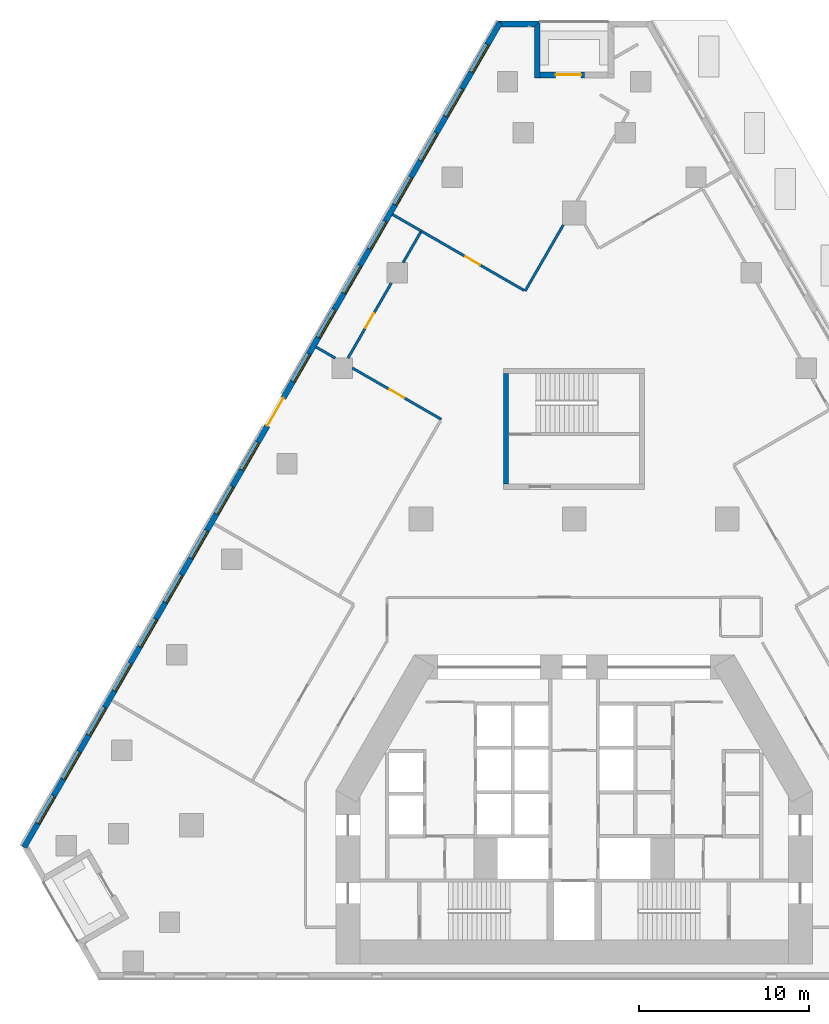
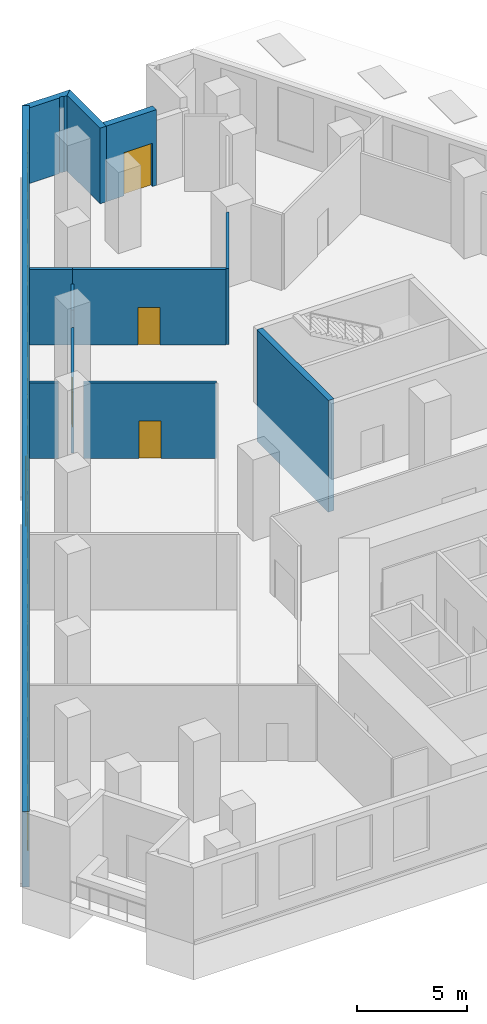
# One storey, part 8 of 13: 17 windows, 12 walls, 5 doors, 22 openings.
"""IFC4 building model written with IfcOpenShell, lengths in metres."""

from ifc_helpers import new_model, si_unit, direction, frame, frame_2d, origin, place, context, subcontext, project, spatial, polyline, rectangle, outline, extrude, material, layer, layer_set, type_object, element, fill, save


model = new_model("IFC4")

# Units and contexts
model_context = context("Model", 3, precision=1e-05, world=origin(), true_north=direction((0.0, 1.0)))
body_context = subcontext(model_context, "Body", "Model", "MODEL_VIEW")
ifc_project = project(units=[si_unit("LENGTHUNIT", "METRE"), si_unit("AREAUNIT", "SQUARE_METRE"), si_unit("VOLUMEUNIT", "CUBIC_METRE"), si_unit("PLANEANGLEUNIT", "RADIAN"), si_unit("MASSUNIT", "GRAM", prefix="KILO")], contexts=[model_context])

# Site, building, storey
site_placement = place(None, origin())
site = spatial("IfcSite", under=ifc_project, at=site_placement, CompositionType="ELEMENT")
building_placement = place(site_placement, origin())
building = spatial("IfcBuilding", under=site, at=building_placement, Name="Fogline Exchange Tower", CompositionType="ELEMENT")
storey_placement = place(building_placement, frame((0.0, 0.0, 25.0)))
storey = spatial("IfcBuildingStorey", under=building, at=storey_placement, Name="L04", CompositionType="ELEMENT", Elevation=25.0)

# Wall
ifc_material_1 = material(Name="Concrete C40", Category="concrete")
ifc_layer_1 = layer(ifc_material_1, 0.300048828125)
ifc_layer_set_1 = layer_set([ifc_layer_1], Name="CW30")
wall_type_1 = type_object("IfcWallType", Name="CW30", PredefinedType="SOLIDWALL", material=ifc_layer_set_1)
wall_1_placement = place(storey_placement, frame((-4.0, 29.056884765625, -2.0), z_axis=(0.0, 0.0, 1.0), x_axis=(0.0, 1.0, 0.0)))
element("IfcWall", 1, at=wall_1_placement, inside=storey, type_object=wall_type_1, Name="Stair enclosure wall ST3", PredefinedType="SOLIDWALL", context=body_context, shape_type="SweptSolid", body=[
    extrude(rectangle(XDim=6.5, YDim=0.300048828125, at=frame_2d((3.25, 0.0))), origin(), (0.0, 0.0, 1.0), 6.199951171875),
])

# Wall, opening, door
ifc_material_2 = material(Name="Brick masonry", Category="masonry")
ifc_layer_2 = layer(ifc_material_2, 0.340087890625)
ifc_layer_set_2 = layer_set([ifc_layer_2], Name="FW1")
wall_type_2 = type_object("IfcWallType", Name="FW1", PredefinedType="SOLIDWALL", material=ifc_layer_set_2)
wall_2_placement = place(storey_placement, frame((0.61328125, 53.12158203125, 0.0), z_axis=(0.0, 0.0, 1.0), x_axis=(-1.0, 0.0, 0.0)))
wall_2 = element("IfcWall", 2, at=wall_2_placement, inside=storey, type_object=wall_type_2, Name="Brick wall L04 N-bk", PredefinedType="SOLIDWALL", context=body_context, shape_type="SweptSolid", body=[
    extrude(rectangle(XDim=2.61328125, YDim=0.340087890625, at=frame_2d((1.306640625, 0.0))), origin(), (0.0, 0.0, 1.0), 4.199951171875),
])
opening_1_placement = place(wall_2_placement, frame((0.199951171875, 0.0, 0.0)))
opening_1 = element("IfcOpeningElement", 3, at=opening_1_placement, cuts=wall_2, Name="Opening T00-E141", PredefinedType="OPENING", context=body_context, shape_type="SweptSolid", body=[
    extrude(rectangle(XDim=1.5, YDim=2.39990234375, at=frame_2d((0.75, 1.199951171875))), frame((0.0, 0.18017578125, 0.0), z_axis=(0.0, -1.0, 0.0), x_axis=(1.0, 0.0, 0.0)), (0.0, 0.0, 1.0), 0.360107421875),
])
ifc_material_3 = material(Name="Aluminium and glass", Category="aluminium")
door_type_1 = type_object("IfcDoorType", Name="ED4", OperationType="SINGLE_SWING_LEFT", PredefinedType="DOOR", material=ifc_material_3)
door_1_placement = place(opening_1_placement, frame((1.5, 0.0, 0.0), z_axis=(0.0, 0.0, 1.0), x_axis=(-1.0, 0.0, 0.0)))
door_1 = element("IfcDoor", 4, at=door_1_placement, inside=storey, type_object=door_type_1, Name="Balcony door L04 N", OperationType="DOUBLE_DOOR_SINGLE_SWING", OverallHeight=2.39990234375, OverallWidth=1.5, PredefinedType="DOOR", context=body_context, shape_type="SweptSolid", body=[
    extrude(rectangle(XDim=1.5, YDim=2.39990234375, at=frame_2d((0.75, 1.199951171875))), frame((0.0, 0.02490234375, 0.0), z_axis=(0.0, -1.0, 0.0), x_axis=(1.0, 0.0, 0.0)), (0.0, 0.0, 1.0), 0.050048828125),
])
fill(opening_1, door_1)

# Walls
wall_3_placement = place(storey_placement, origin())
element("IfcWall", 5, at=wall_3_placement, inside=storey, type_object=wall_type_2, Name="Brick wall L04 N-s2", PredefinedType="SOLIDWALL", context=body_context, shape_type="SweptSolid", body=[
    extrude(outline(polyline([(-1.99951171875, 56.292724609375), (-1.99951171875, 52.951171875), (-2.340576171875, 52.951171875), (-2.340576171875, 55.951904296875), (-1.999755859375, 56.292724609375), (-1.99951171875, 56.292724609375)])), origin(), (0.0, 0.0, 1.0), 4.199951171875),
])
wall_4_placement = place(storey_placement, origin())
element("IfcWall", 6, at=wall_4_placement, inside=storey, type_object=wall_type_2, Name="Brick wall L04 N-c2", PredefinedType="SOLIDWALL", context=body_context, shape_type="SweptSolid", body=[
    extrude(outline(polyline([(-4.206298828125, 56.121337890625), (-4.501220703125, 56.291748046875), (-4.5009765625, 56.292236328125), (-1.9990234375, 56.292236328125), (-1.998779296875, 56.2919921875), (-2.33984375, 55.951171875), (-2.510009765625, 55.951171875), (-2.695068359375, 56.031494140625), (-2.72998046875, 55.951171875), (-4.3046875, 55.951171875), (-4.206298828125, 56.121337890625)])), origin(), (0.0, 0.0, 1.0), 4.199951171875),
])

# Wall, openings, door, windows
wall_5_placement = place(storey_placement, frame((-4.352783203125, 56.20654296875, 0.0), z_axis=(0.0, 0.0, 1.0), x_axis=(-0.500000836325, -0.866024920931, 0.0)))
wall_5 = element("IfcWall", 7, at=wall_5_placement, inside=storey, type_object=wall_type_2, Name="Brick wall L04 W", PredefinedType="SOLIDWALL", context=body_context, shape_type="SweptSolid", body=[
    extrude(rectangle(XDim=56.0, YDim=0.340087890625, at=frame_2d((28.0, 0.0))), origin(), (0.0, 0.0, 1.0), 4.199951171875),
])
opening_2_placement = place(wall_5_placement, frame((1.5, 0.0, 0.89990234375)))
opening_2 = element("IfcOpeningElement", 8, at=opening_2_placement, cuts=wall_5, Name="Opening W2", PredefinedType="OPENING", context=body_context, shape_type="SweptSolid", body=[
    extrude(rectangle(XDim=1.885009765625, YDim=3.0, at=frame_2d((0.9423828125, 1.5))), frame((0.0, 0.18017578125, 0.0), z_axis=(0.0, -1.0, 0.0), x_axis=(1.0, 0.0, 0.0)), (0.0, 0.0, 1.0), 0.360107421875),
])
opening_3_placement = place(wall_5_placement, frame((4.5, 0.0, 0.89990234375)))
opening_3 = element("IfcOpeningElement", 9, at=opening_3_placement, cuts=wall_5, Name="Opening W2", PredefinedType="OPENING", context=body_context, shape_type="SweptSolid", body=[
    extrude(rectangle(XDim=1.885009765625, YDim=3.0, at=frame_2d((0.9423828125, 1.5))), frame((0.0, 0.18017578125, 0.0), z_axis=(0.0, -1.0, 0.0), x_axis=(1.0, 0.0, 0.0)), (0.0, 0.0, 1.0), 0.360107421875),
])
opening_4_placement = place(wall_5_placement, frame((7.5, 0.0, 0.89990234375)))
opening_4 = element("IfcOpeningElement", 10, at=opening_4_placement, cuts=wall_5, Name="Opening W2", PredefinedType="OPENING", context=body_context, shape_type="SweptSolid", body=[
    extrude(rectangle(XDim=1.885009765625, YDim=3.0, at=frame_2d((0.9423828125, 1.5))), frame((0.0, 0.18017578125, 0.0), z_axis=(0.0, -1.0, 0.0), x_axis=(1.0, 0.0, 0.0)), (0.0, 0.0, 1.0), 0.360107421875),
])
opening_5_placement = place(wall_5_placement, frame((10.5, 0.0, 0.89990234375)))
opening_5 = element("IfcOpeningElement", 11, at=opening_5_placement, cuts=wall_5, Name="Opening W2", PredefinedType="OPENING", context=body_context, shape_type="SweptSolid", body=[
    extrude(rectangle(XDim=1.885009765625, YDim=3.0, at=frame_2d((0.9423828125, 1.5))), frame((0.0, 0.18017578125, 0.0), z_axis=(0.0, -1.0, 0.0), x_axis=(1.0, 0.0, 0.0)), (0.0, 0.0, 1.0), 0.360107421875),
])
opening_6_placement = place(wall_5_placement, frame((13.5, 0.0, 0.89990234375)))
opening_6 = element("IfcOpeningElement", 12, at=opening_6_placement, cuts=wall_5, Name="Opening W2", PredefinedType="OPENING", context=body_context, shape_type="SweptSolid", body=[
    extrude(rectangle(XDim=1.885009765625, YDim=3.0, at=frame_2d((0.9423828125, 1.5))), frame((0.0, 0.18017578125, 0.0), z_axis=(0.0, -1.0, 0.0), x_axis=(1.0, 0.0, 0.0)), (0.0, 0.0, 1.0), 0.360107421875),
])
opening_7_placement = place(wall_5_placement, frame((16.5, 0.0, 0.89990234375)))
opening_7 = element("IfcOpeningElement", 13, at=opening_7_placement, cuts=wall_5, Name="Opening W2", PredefinedType="OPENING", context=body_context, shape_type="SweptSolid", body=[
    extrude(rectangle(XDim=1.885009765625, YDim=3.0, at=frame_2d((0.9423828125, 1.5))), frame((0.0, 0.18017578125, 0.0), z_axis=(0.0, -1.0, 0.0), x_axis=(1.0, 0.0, 0.0)), (0.0, 0.0, 1.0), 0.360107421875),
])
opening_8_placement = place(wall_5_placement, frame((19.5, 0.0, 0.89990234375)))
opening_8 = element("IfcOpeningElement", 14, at=opening_8_placement, cuts=wall_5, Name="Opening W2", PredefinedType="OPENING", context=body_context, shape_type="SweptSolid", body=[
    extrude(rectangle(XDim=1.885009765625, YDim=3.0, at=frame_2d((0.9423828125, 1.5))), frame((0.0, 0.18017578125, 0.0), z_axis=(0.0, -1.0, 0.0), x_axis=(1.0, 0.0, 0.0)), (0.0, 0.0, 1.0), 0.360107421875),
])
opening_9_placement = place(wall_5_placement, frame((22.5, 0.0, 0.89990234375)))
opening_9 = element("IfcOpeningElement", 15, at=opening_9_placement, cuts=wall_5, Name="Opening W2", PredefinedType="OPENING", context=body_context, shape_type="SweptSolid", body=[
    extrude(rectangle(XDim=1.885009765625, YDim=3.0, at=frame_2d((0.9423828125, 1.5))), frame((0.0, 0.18017578125, 0.0), z_axis=(0.0, -1.0, 0.0), x_axis=(1.0, 0.0, 0.0)), (0.0, 0.0, 1.0), 0.360107421875),
])
opening_10_placement = place(wall_5_placement, frame((25.5, 0.0, 0.0)))
opening_10 = element("IfcOpeningElement", 16, at=opening_10_placement, cuts=wall_5, Name="Opening T00-E171", PredefinedType="OPENING", context=body_context, shape_type="SweptSolid", body=[
    extrude(rectangle(XDim=1.885009765625, YDim=2.60009765625, at=frame_2d((0.9423828125, 1.300048828125))), frame((0.0, 0.18017578125, 0.0), z_axis=(0.0, -1.0, 0.0), x_axis=(1.0, 0.0, 0.0)), (0.0, 0.0, 1.0), 0.360107421875),
])
opening_11_placement = place(wall_5_placement, frame((28.5, 0.0, 0.89990234375)))
opening_11 = element("IfcOpeningElement", 17, at=opening_11_placement, cuts=wall_5, Name="Opening W2", PredefinedType="OPENING", context=body_context, shape_type="SweptSolid", body=[
    extrude(rectangle(XDim=1.885009765625, YDim=3.0, at=frame_2d((0.9423828125, 1.5))), frame((0.0, 0.18017578125, 0.0), z_axis=(0.0, -1.0, 0.0), x_axis=(1.0, 0.0, 0.0)), (0.0, 0.0, 1.0), 0.360107421875),
])
opening_12_placement = place(wall_5_placement, frame((31.5, 0.0, 0.89990234375)))
opening_12 = element("IfcOpeningElement", 18, at=opening_12_placement, cuts=wall_5, Name="Opening W2", PredefinedType="OPENING", context=body_context, shape_type="SweptSolid", body=[
    extrude(rectangle(XDim=1.885009765625, YDim=3.0, at=frame_2d((0.9423828125, 1.5))), frame((0.0, 0.18017578125, 0.0), z_axis=(0.0, -1.0, 0.0), x_axis=(1.0, 0.0, 0.0)), (0.0, 0.0, 1.0), 0.360107421875),
])
opening_13_placement = place(wall_5_placement, frame((34.5, 0.0, 0.89990234375)))
opening_13 = element("IfcOpeningElement", 19, at=opening_13_placement, cuts=wall_5, Name="Opening W2", PredefinedType="OPENING", context=body_context, shape_type="SweptSolid", body=[
    extrude(rectangle(XDim=1.885009765625, YDim=3.0, at=frame_2d((0.9423828125, 1.5))), frame((0.0, 0.18017578125, 0.0), z_axis=(0.0, -1.0, 0.0), x_axis=(1.0, 0.0, 0.0)), (0.0, 0.0, 1.0), 0.360107421875),
])
opening_14_placement = place(wall_5_placement, frame((37.5, 0.0, 0.89990234375)))
opening_14 = element("IfcOpeningElement", 20, at=opening_14_placement, cuts=wall_5, Name="Opening W2", PredefinedType="OPENING", context=body_context, shape_type="SweptSolid", body=[
    extrude(rectangle(XDim=1.885009765625, YDim=3.0, at=frame_2d((0.9423828125, 1.5))), frame((0.0, 0.18017578125, 0.0), z_axis=(0.0, -1.0, 0.0), x_axis=(1.0, 0.0, 0.0)), (0.0, 0.0, 1.0), 0.360107421875),
])
opening_15_placement = place(wall_5_placement, frame((40.5, 0.0, 0.89990234375)))
opening_15 = element("IfcOpeningElement", 21, at=opening_15_placement, cuts=wall_5, Name="Opening W2", PredefinedType="OPENING", context=body_context, shape_type="SweptSolid", body=[
    extrude(rectangle(XDim=1.885009765625, YDim=3.0, at=frame_2d((0.9423828125, 1.5))), frame((0.0, 0.18017578125, 0.0), z_axis=(0.0, -1.0, 0.0), x_axis=(1.0, 0.0, 0.0)), (0.0, 0.0, 1.0), 0.360107421875),
])
opening_16_placement = place(wall_5_placement, frame((43.5, 0.0, 0.89990234375)))
opening_16 = element("IfcOpeningElement", 22, at=opening_16_placement, cuts=wall_5, Name="Opening W2", PredefinedType="OPENING", context=body_context, shape_type="SweptSolid", body=[
    extrude(rectangle(XDim=1.885009765625, YDim=3.0, at=frame_2d((0.9423828125, 1.5))), frame((0.0, 0.18017578125, 0.0), z_axis=(0.0, -1.0, 0.0), x_axis=(1.0, 0.0, 0.0)), (0.0, 0.0, 1.0), 0.360107421875),
])
opening_17_placement = place(wall_5_placement, frame((46.5, 0.0, 0.89990234375)))
opening_17 = element("IfcOpeningElement", 23, at=opening_17_placement, cuts=wall_5, Name="Opening W2", PredefinedType="OPENING", context=body_context, shape_type="SweptSolid", body=[
    extrude(rectangle(XDim=1.885009765625, YDim=3.0, at=frame_2d((0.9423828125, 1.5))), frame((0.0, 0.18017578125, 0.0), z_axis=(0.0, -1.0, 0.0), x_axis=(1.0, 0.0, 0.0)), (0.0, 0.0, 1.0), 0.360107421875),
])
opening_18_placement = place(wall_5_placement, frame((49.5, 0.0, 0.89990234375)))
opening_18 = element("IfcOpeningElement", 24, at=opening_18_placement, cuts=wall_5, Name="Opening W2", PredefinedType="OPENING", context=body_context, shape_type="SweptSolid", body=[
    extrude(rectangle(XDim=1.885009765625, YDim=3.0, at=frame_2d((0.9423828125, 1.5))), frame((0.0, 0.18017578125, 0.0), z_axis=(0.0, -1.0, 0.0), x_axis=(1.0, 0.0, 0.0)), (0.0, 0.0, 1.0), 0.360107421875),
])
opening_19_placement = place(wall_5_placement, frame((52.5, 0.0, 0.89990234375)))
opening_19 = element("IfcOpeningElement", 25, at=opening_19_placement, cuts=wall_5, Name="Opening W2", PredefinedType="OPENING", context=body_context, shape_type="SweptSolid", body=[
    extrude(rectangle(XDim=1.885009765625, YDim=3.0, at=frame_2d((0.9423828125, 1.5))), frame((0.0, 0.18017578125, 0.0), z_axis=(0.0, -1.0, 0.0), x_axis=(1.0, 0.0, 0.0)), (0.0, 0.0, 1.0), 0.360107421875),
])
door_type_2 = type_object("IfcDoorType", Name="ED5", OperationType="SINGLE_SWING_LEFT", PredefinedType="DOOR", material=ifc_material_3)
door_2_placement = place(opening_10_placement, frame((1.885009765625, 0.0, 0.0), z_axis=(0.0, 0.0, 1.0), x_axis=(-1.0, 0.0, 0.0)))
door_2 = element("IfcDoor", 26, at=door_2_placement, inside=storey, type_object=door_type_2, Name="Terrace door L04 W", OperationType="DOUBLE_DOOR_SINGLE_SWING", OverallHeight=2.60009765625, OverallWidth=1.885009765625, PredefinedType="DOOR", context=body_context, shape_type="SweptSolid", body=[
    extrude(rectangle(XDim=1.885009765625, YDim=2.60009765625, at=frame_2d((0.9423828125, 1.300048828125))), frame((0.0, 0.02490234375, 0.0), z_axis=(0.0, -1.0, 0.0), x_axis=(1.0, 0.0, 0.0)), (0.0, 0.0, 1.0), 0.050048828125),
])
fill(opening_10, door_2)
window_type = type_object("IfcWindowType", Name="W2", PartitioningType="SINGLE_PANEL", PredefinedType="WINDOW", material=ifc_material_3)
window_1_placement = place(opening_2_placement, origin())
window_1 = element("IfcWindow", 27, at=window_1_placement, inside=storey, type_object=window_type, Name="W2 W2", OverallHeight=3.0, OverallWidth=1.885009765625, PartitioningType="SINGLE_PANEL", PredefinedType="WINDOW", context=body_context, shape_type="SweptSolid", body=[
    extrude(rectangle(XDim=1.885009765625, YDim=3.0, at=frame_2d((0.9423828125, 1.5))), frame((0.0, 0.110107421875, 0.0), z_axis=(0.0, -1.0, 0.0), x_axis=(1.0, 0.0, 0.0)), (0.0, 0.0, 1.0), 0.06005859375),
])
fill(opening_2, window_1)
window_2_placement = place(opening_3_placement, origin())
window_2 = element("IfcWindow", 28, at=window_2_placement, inside=storey, type_object=window_type, Name="W2 W2", OverallHeight=3.0, OverallWidth=1.885009765625, PartitioningType="SINGLE_PANEL", PredefinedType="WINDOW", context=body_context, shape_type="SweptSolid", body=[
    extrude(rectangle(XDim=1.885009765625, YDim=3.0, at=frame_2d((0.9423828125, 1.5))), frame((0.0, 0.110107421875, 0.0), z_axis=(0.0, -1.0, 0.0), x_axis=(1.0, 0.0, 0.0)), (0.0, 0.0, 1.0), 0.06005859375),
])
fill(opening_3, window_2)
window_3_placement = place(opening_4_placement, origin())
window_3 = element("IfcWindow", 29, at=window_3_placement, inside=storey, type_object=window_type, Name="W2 W2", OverallHeight=3.0, OverallWidth=1.885009765625, PartitioningType="SINGLE_PANEL", PredefinedType="WINDOW", context=body_context, shape_type="SweptSolid", body=[
    extrude(rectangle(XDim=1.885009765625, YDim=3.0, at=frame_2d((0.9423828125, 1.5))), frame((0.0, 0.110107421875, 0.0), z_axis=(0.0, -1.0, 0.0), x_axis=(1.0, 0.0, 0.0)), (0.0, 0.0, 1.0), 0.06005859375),
])
fill(opening_4, window_3)
window_4_placement = place(opening_5_placement, origin())
window_4 = element("IfcWindow", 30, at=window_4_placement, inside=storey, type_object=window_type, Name="W2 W2", OverallHeight=3.0, OverallWidth=1.885009765625, PartitioningType="SINGLE_PANEL", PredefinedType="WINDOW", context=body_context, shape_type="SweptSolid", body=[
    extrude(rectangle(XDim=1.885009765625, YDim=3.0, at=frame_2d((0.9423828125, 1.5))), frame((0.0, 0.110107421875, 0.0), z_axis=(0.0, -1.0, 0.0), x_axis=(1.0, 0.0, 0.0)), (0.0, 0.0, 1.0), 0.06005859375),
])
fill(opening_5, window_4)
window_5_placement = place(opening_6_placement, origin())
window_5 = element("IfcWindow", 31, at=window_5_placement, inside=storey, type_object=window_type, Name="W2 W2", OverallHeight=3.0, OverallWidth=1.885009765625, PartitioningType="SINGLE_PANEL", PredefinedType="WINDOW", context=body_context, shape_type="SweptSolid", body=[
    extrude(rectangle(XDim=1.885009765625, YDim=3.0, at=frame_2d((0.9423828125, 1.5))), frame((0.0, 0.110107421875, 0.0), z_axis=(0.0, -1.0, 0.0), x_axis=(1.0, 0.0, 0.0)), (0.0, 0.0, 1.0), 0.06005859375),
])
fill(opening_6, window_5)
window_6_placement = place(opening_7_placement, origin())
window_6 = element("IfcWindow", 32, at=window_6_placement, inside=storey, type_object=window_type, Name="W2 W2", OverallHeight=3.0, OverallWidth=1.885009765625, PartitioningType="SINGLE_PANEL", PredefinedType="WINDOW", context=body_context, shape_type="SweptSolid", body=[
    extrude(rectangle(XDim=1.885009765625, YDim=3.0, at=frame_2d((0.9423828125, 1.5))), frame((0.0, 0.110107421875, 0.0), z_axis=(0.0, -1.0, 0.0), x_axis=(1.0, 0.0, 0.0)), (0.0, 0.0, 1.0), 0.06005859375),
])
fill(opening_7, window_6)
window_7_placement = place(opening_8_placement, origin())
window_7 = element("IfcWindow", 33, at=window_7_placement, inside=storey, type_object=window_type, Name="W2 W2", OverallHeight=3.0, OverallWidth=1.885009765625, PartitioningType="SINGLE_PANEL", PredefinedType="WINDOW", context=body_context, shape_type="SweptSolid", body=[
    extrude(rectangle(XDim=1.885009765625, YDim=3.0, at=frame_2d((0.9423828125, 1.5))), frame((0.0, 0.110107421875, 0.0), z_axis=(0.0, -1.0, 0.0), x_axis=(1.0, 0.0, 0.0)), (0.0, 0.0, 1.0), 0.06005859375),
])
fill(opening_8, window_7)
window_8_placement = place(opening_9_placement, origin())
window_8 = element("IfcWindow", 34, at=window_8_placement, inside=storey, type_object=window_type, Name="W2 W2", OverallHeight=3.0, OverallWidth=1.885009765625, PartitioningType="SINGLE_PANEL", PredefinedType="WINDOW", context=body_context, shape_type="SweptSolid", body=[
    extrude(rectangle(XDim=1.885009765625, YDim=3.0, at=frame_2d((0.9423828125, 1.5))), frame((0.0, 0.110107421875, 0.0), z_axis=(0.0, -1.0, 0.0), x_axis=(1.0, 0.0, 0.0)), (0.0, 0.0, 1.0), 0.06005859375),
])
fill(opening_9, window_8)
window_9_placement = place(opening_11_placement, origin())
window_9 = element("IfcWindow", 35, at=window_9_placement, inside=storey, type_object=window_type, Name="W2 W2", OverallHeight=3.0, OverallWidth=1.885009765625, PartitioningType="SINGLE_PANEL", PredefinedType="WINDOW", context=body_context, shape_type="SweptSolid", body=[
    extrude(rectangle(XDim=1.885009765625, YDim=3.0, at=frame_2d((0.9423828125, 1.5))), frame((0.0, 0.110107421875, 0.0), z_axis=(0.0, -1.0, 0.0), x_axis=(1.0, 0.0, 0.0)), (0.0, 0.0, 1.0), 0.06005859375),
])
fill(opening_11, window_9)
window_10_placement = place(opening_12_placement, origin())
window_10 = element("IfcWindow", 36, at=window_10_placement, inside=storey, type_object=window_type, Name="W2 W2", OverallHeight=3.0, OverallWidth=1.885009765625, PartitioningType="SINGLE_PANEL", PredefinedType="WINDOW", context=body_context, shape_type="SweptSolid", body=[
    extrude(rectangle(XDim=1.885009765625, YDim=3.0, at=frame_2d((0.9423828125, 1.5))), frame((0.0, 0.110107421875, 0.0), z_axis=(0.0, -1.0, 0.0), x_axis=(1.0, 0.0, 0.0)), (0.0, 0.0, 1.0), 0.06005859375),
])
fill(opening_12, window_10)
window_11_placement = place(opening_13_placement, origin())
window_11 = element("IfcWindow", 37, at=window_11_placement, inside=storey, type_object=window_type, Name="W2 W2", OverallHeight=3.0, OverallWidth=1.885009765625, PartitioningType="SINGLE_PANEL", PredefinedType="WINDOW", context=body_context, shape_type="SweptSolid", body=[
    extrude(rectangle(XDim=1.885009765625, YDim=3.0, at=frame_2d((0.9423828125, 1.5))), frame((0.0, 0.110107421875, 0.0), z_axis=(0.0, -1.0, 0.0), x_axis=(1.0, 0.0, 0.0)), (0.0, 0.0, 1.0), 0.06005859375),
])
fill(opening_13, window_11)
window_12_placement = place(opening_14_placement, origin())
window_12 = element("IfcWindow", 38, at=window_12_placement, inside=storey, type_object=window_type, Name="W2 W2", OverallHeight=3.0, OverallWidth=1.885009765625, PartitioningType="SINGLE_PANEL", PredefinedType="WINDOW", context=body_context, shape_type="SweptSolid", body=[
    extrude(rectangle(XDim=1.885009765625, YDim=3.0, at=frame_2d((0.9423828125, 1.5))), frame((0.0, 0.110107421875, 0.0), z_axis=(0.0, -1.0, 0.0), x_axis=(1.0, 0.0, 0.0)), (0.0, 0.0, 1.0), 0.06005859375),
])
fill(opening_14, window_12)
window_13_placement = place(opening_15_placement, origin())
window_13 = element("IfcWindow", 39, at=window_13_placement, inside=storey, type_object=window_type, Name="W2 W2", OverallHeight=3.0, OverallWidth=1.885009765625, PartitioningType="SINGLE_PANEL", PredefinedType="WINDOW", context=body_context, shape_type="SweptSolid", body=[
    extrude(rectangle(XDim=1.885009765625, YDim=3.0, at=frame_2d((0.9423828125, 1.5))), frame((0.0, 0.110107421875, 0.0), z_axis=(0.0, -1.0, 0.0), x_axis=(1.0, 0.0, 0.0)), (0.0, 0.0, 1.0), 0.06005859375),
])
fill(opening_15, window_13)
window_14_placement = place(opening_16_placement, origin())
window_14 = element("IfcWindow", 40, at=window_14_placement, inside=storey, type_object=window_type, Name="W2 W2", OverallHeight=3.0, OverallWidth=1.885009765625, PartitioningType="SINGLE_PANEL", PredefinedType="WINDOW", context=body_context, shape_type="SweptSolid", body=[
    extrude(rectangle(XDim=1.885009765625, YDim=3.0, at=frame_2d((0.9423828125, 1.5))), frame((0.0, 0.110107421875, 0.0), z_axis=(0.0, -1.0, 0.0), x_axis=(1.0, 0.0, 0.0)), (0.0, 0.0, 1.0), 0.06005859375),
])
fill(opening_16, window_14)
window_15_placement = place(opening_17_placement, origin())
window_15 = element("IfcWindow", 41, at=window_15_placement, inside=storey, type_object=window_type, Name="W2 W2", OverallHeight=3.0, OverallWidth=1.885009765625, PartitioningType="SINGLE_PANEL", PredefinedType="WINDOW", context=body_context, shape_type="SweptSolid", body=[
    extrude(rectangle(XDim=1.885009765625, YDim=3.0, at=frame_2d((0.9423828125, 1.5))), frame((0.0, 0.110107421875, 0.0), z_axis=(0.0, -1.0, 0.0), x_axis=(1.0, 0.0, 0.0)), (0.0, 0.0, 1.0), 0.06005859375),
])
fill(opening_17, window_15)
window_16_placement = place(opening_18_placement, origin())
window_16 = element("IfcWindow", 42, at=window_16_placement, inside=storey, type_object=window_type, Name="W2 W2", OverallHeight=3.0, OverallWidth=1.885009765625, PartitioningType="SINGLE_PANEL", PredefinedType="WINDOW", context=body_context, shape_type="SweptSolid", body=[
    extrude(rectangle(XDim=1.885009765625, YDim=3.0, at=frame_2d((0.9423828125, 1.5))), frame((0.0, 0.110107421875, 0.0), z_axis=(0.0, -1.0, 0.0), x_axis=(1.0, 0.0, 0.0)), (0.0, 0.0, 1.0), 0.06005859375),
])
fill(opening_18, window_16)
window_17_placement = place(opening_19_placement, origin())
window_17 = element("IfcWindow", 43, at=window_17_placement, inside=storey, type_object=window_type, Name="W2 W2", OverallHeight=3.0, OverallWidth=1.885009765625, PartitioningType="SINGLE_PANEL", PredefinedType="WINDOW", context=body_context, shape_type="SweptSolid", body=[
    extrude(rectangle(XDim=1.885009765625, YDim=3.0, at=frame_2d((0.9423828125, 1.5))), frame((0.0, 0.110107421875, 0.0), z_axis=(0.0, -1.0, 0.0), x_axis=(1.0, 0.0, 0.0)), (0.0, 0.0, 1.0), 0.06005859375),
])
fill(opening_19, window_17)

# Wall, opening, door
ifc_material_4 = material(Name="Plasterboard demising partition with mineral wool and acoustic board")
ifc_layer_3 = layer(ifc_material_4, 0.14990234375)
ifc_layer_set_3 = layer_set([ifc_layer_3], Name="PW3")
wall_type_3 = type_object("IfcWallType", Name="PW3", PredefinedType="PARTITIONING", material=ifc_layer_set_3)
wall_6_placement = place(storey_placement, frame((-8.988037109375, 43.93798828125, 0.0), z_axis=(0.0, 0.0, 1.0), x_axis=(0.866037534292, -0.499978988757, 0.0)))
wall_6 = element("IfcWall", 44, at=wall_6_placement, inside=storey, type_object=wall_type_3, Name="wall-L04-W027", PredefinedType="PARTITIONING", context=body_context, shape_type="SweptSolid", body=[
    extrude(rectangle(XDim=6.974853515625, YDim=0.14990234375, at=frame_2d((3.4873046875, 0.0))), origin(), (0.0, 0.0, 1.0), 4.199951171875),
])
opening_20_placement = place(wall_6_placement, frame((2.987548828125, 0.0, 0.0)))
opening_20 = element("IfcOpeningElement", 45, at=opening_20_placement, cuts=wall_6, Name="Opening T00-D009", PredefinedType="OPENING", context=body_context, shape_type="SweptSolid", body=[
    extrude(rectangle(XDim=1.0, YDim=2.10009765625, at=frame_2d((0.5, 1.050048828125))), frame((0.0, 0.0849609375, 0.0), z_axis=(0.0, -1.0, 0.0), x_axis=(1.0, 0.0, 0.0)), (0.0, 0.0, 1.0), 0.169921875),
])
ifc_material_5 = material(Name="Fire-rated timber door leaf with steel frame", Category="steel")
door_type_3 = type_object("IfcDoorType", Name="D3", OperationType="SINGLE_SWING_LEFT", PredefinedType="DOOR", material=ifc_material_5)
door_3_placement = place(opening_20_placement, origin())
door_3 = element("IfcDoor", 46, at=door_3_placement, inside=storey, type_object=door_type_3, Name="door-L04-D009", OperationType="SINGLE_SWING_LEFT", OverallHeight=2.10009765625, OverallWidth=1.0, PredefinedType="DOOR", context=body_context, shape_type="SweptSolid", body=[
    extrude(rectangle(XDim=1.0, YDim=2.10009765625, at=frame_2d((0.5, 1.050048828125))), frame((0.0, 0.02490234375, 0.0), z_axis=(0.0, -1.0, 0.0), x_axis=(1.0, 0.0, 0.0)), (0.0, 0.0, 1.0), 0.050048828125),
])
fill(opening_20, door_3)

# Wall
wall_7_placement = place(storey_placement, frame((-2.882568359375, 40.4130859375, 0.0), z_axis=(0.0, 0.0, 1.0), x_axis=(0.500000259638, 0.866025253883, 0.0)))
element("IfcWall", 47, at=wall_7_placement, inside=storey, type_object=wall_type_3, Name="wall-L04-W028", PredefinedType="PARTITIONING", context=body_context, shape_type="SweptSolid", body=[
    extrude(rectangle(XDim=4.48828125, YDim=0.14990234375, at=frame_2d((2.244140625, 0.0))), origin(), (0.0, 0.0, 1.0), 4.199951171875),
])

# Wall, opening, door
wall_8_placement = place(storey_placement, frame((-13.30126953125, 36.467529296875, 0.0), z_axis=(0.0, 0.0, 1.0), x_axis=(0.499991921166, 0.866030068051, 0.0)))
wall_8 = element("IfcWall", 48, at=wall_8_placement, inside=storey, type_object=wall_type_3, Name="wall-L04-W029", PredefinedType="PARTITIONING", context=body_context, shape_type="SweptSolid", body=[
    extrude(rectangle(XDim=5.09765625, YDim=0.14990234375, at=frame_2d((2.548828125, 0.0))), origin(), (0.0, 0.0, 1.0), 3.39990234375),
])
opening_21_placement = place(wall_8_placement, frame((2.048828125, 0.0, 0.0)))
opening_21 = element("IfcOpeningElement", 49, at=opening_21_placement, cuts=wall_8, Name="Opening T00-D010", PredefinedType="OPENING", context=body_context, shape_type="SweptSolid", body=[
    extrude(rectangle(XDim=1.0, YDim=2.10009765625, at=frame_2d((0.5, 1.050048828125))), frame((0.0, 0.0849609375, 0.0), z_axis=(0.0, -1.0, 0.0), x_axis=(1.0, 0.0, 0.0)), (0.0, 0.0, 1.0), 0.169921875),
])
door_4_placement = place(opening_21_placement, origin())
door_4 = element("IfcDoor", 50, at=door_4_placement, inside=storey, type_object=door_type_3, Name="door-L04-D010", OperationType="SINGLE_SWING_LEFT", OverallHeight=2.10009765625, OverallWidth=1.0, PredefinedType="DOOR", context=body_context, shape_type="SweptSolid", body=[
    extrude(rectangle(XDim=1.0, YDim=2.10009765625, at=frame_2d((0.5, 1.050048828125))), frame((0.0, 0.02490234375, 0.0), z_axis=(0.0, -1.0, 0.0), x_axis=(1.0, 0.0, 0.0)), (0.0, 0.0, 1.0), 0.050048828125),
])
fill(opening_21, door_4)

# Wall
wall_9_placement = place(storey_placement, frame((-10.0595703125, 42.082275390625, 0.0), z_axis=(0.0, 0.0, 1.0), x_axis=(0.500012022864, 0.866018462269, 0.0)))
element("IfcWall", 51, at=wall_9_placement, inside=storey, type_object=wall_type_3, Name="wall-L04-W030", PredefinedType="PARTITIONING", context=body_context, shape_type="SweptSolid", body=[
    extrude(rectangle(XDim=2.06787109375, YDim=0.14990234375, at=frame_2d((1.033935546875, 0.0))), origin(), (0.0, 0.0, 1.0), 3.39990234375),
])

# Wall, opening, door
wall_10_placement = place(storey_placement, frame((-7.815673828125, 32.868896484375, 0.0), z_axis=(0.0, 0.0, 1.0), x_axis=(-0.866018688909, 0.500011630325, 0.0)))
wall_10 = element("IfcWall", 52, at=wall_10_placement, inside=storey, type_object=wall_type_3, Name="wall-L04-W032", PredefinedType="PARTITIONING", context=body_context, shape_type="SweptSolid", body=[
    extrude(rectangle(XDim=6.041259765625, YDim=0.14990234375, at=frame_2d((3.0205078125, 0.0))), origin(), (0.0, 0.0, 1.0), 4.199951171875),
])
opening_22_placement = place(wall_10_placement, frame((2.520751953125, 0.0, 0.0)))
opening_22 = element("IfcOpeningElement", 53, at=opening_22_placement, cuts=wall_10, Name="Opening T00-D011", PredefinedType="OPENING", context=body_context, shape_type="SweptSolid", body=[
    extrude(rectangle(XDim=1.0, YDim=2.10009765625, at=frame_2d((0.5, 1.050048828125))), frame((0.0, 0.0849609375, 0.0), z_axis=(0.0, -1.0, 0.0), x_axis=(1.0, 0.0, 0.0)), (0.0, 0.0, 1.0), 0.169921875),
])
door_5_placement = place(opening_22_placement, origin())
door_5 = element("IfcDoor", 54, at=door_5_placement, inside=storey, type_object=door_type_3, Name="door-L04-D011", OperationType="SINGLE_SWING_LEFT", OverallHeight=2.10009765625, OverallWidth=1.0, PredefinedType="DOOR", context=body_context, shape_type="SweptSolid", body=[
    extrude(rectangle(XDim=1.0, YDim=2.10009765625, at=frame_2d((0.5, 1.050048828125))), frame((0.0, 0.02490234375, 0.0), z_axis=(0.0, -1.0, 0.0), x_axis=(1.0, 0.0, 0.0)), (0.0, 0.0, 1.0), 0.050048828125),
])
fill(opening_22, door_5)

# Walls
wall_11_placement = place(storey_placement, frame((-8.988037109375, 43.93798828125, 0.0), z_axis=(0.0, 0.0, 1.0), x_axis=(-0.866000020948, 0.500043961785, 0.0)))
element("IfcWall", 55, at=wall_11_placement, inside=storey, type_object=wall_type_3, Name="wall-L04-W041", PredefinedType="PARTITIONING", context=body_context, shape_type="SweptSolid", body=[
    extrude(rectangle(XDim=1.949951171875, YDim=0.14990234375, at=frame_2d((0.97509765625, 0.0))), origin(), (0.0, 0.0, 1.0), 4.199951171875),
])
wall_12_placement = place(storey_placement, frame((-14.048828125, 36.467529296875, 0.0), z_axis=(0.0, 0.0, 1.0), x_axis=(-0.865973311606, 0.500090215447, 0.0)))
element("IfcWall", 56, at=wall_12_placement, inside=storey, type_object=wall_type_3, Name="wall-L04-W042", PredefinedType="PARTITIONING", context=body_context, shape_type="SweptSolid", body=[
    extrude(rectangle(XDim=1.302490234375, YDim=0.14990234375, at=frame_2d((0.6513671875, 0.0))), origin(), (0.0, 0.0, 1.0), 4.199951171875),
])

save(model, "model.ifc")
